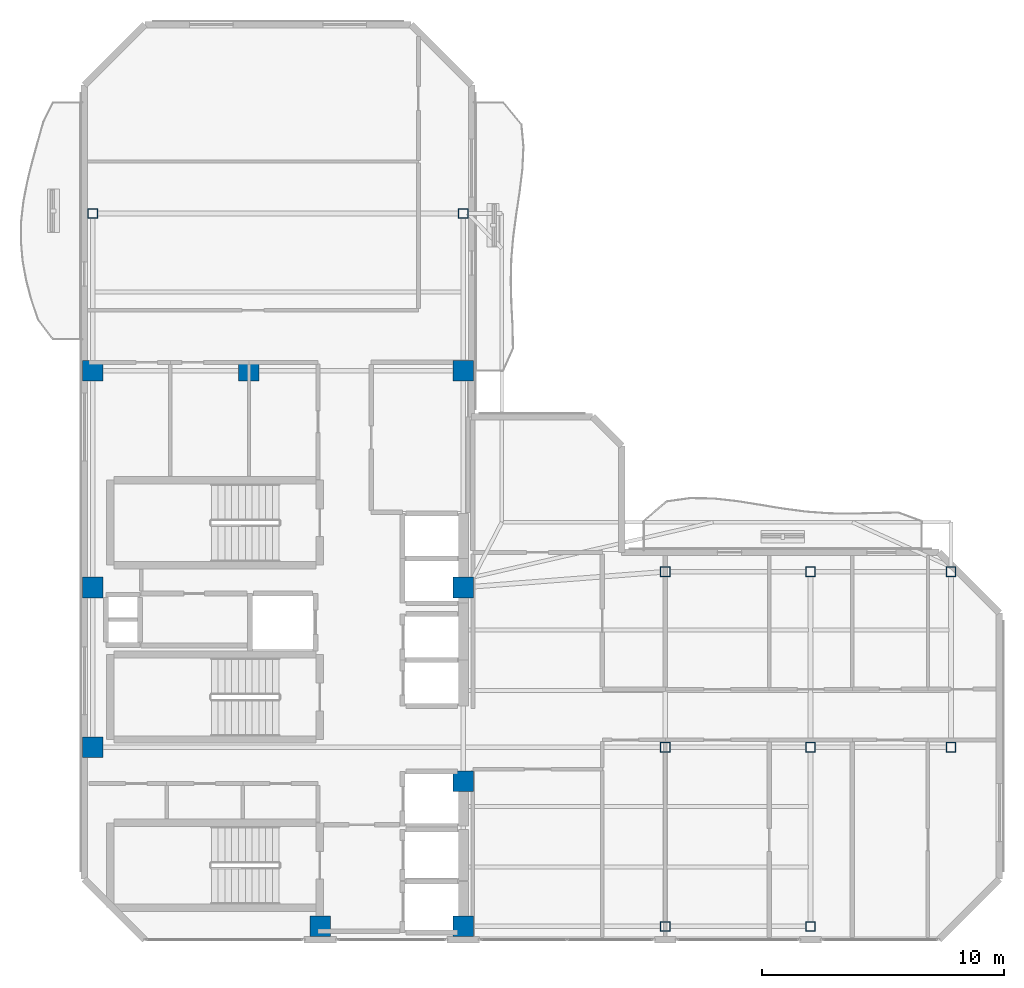
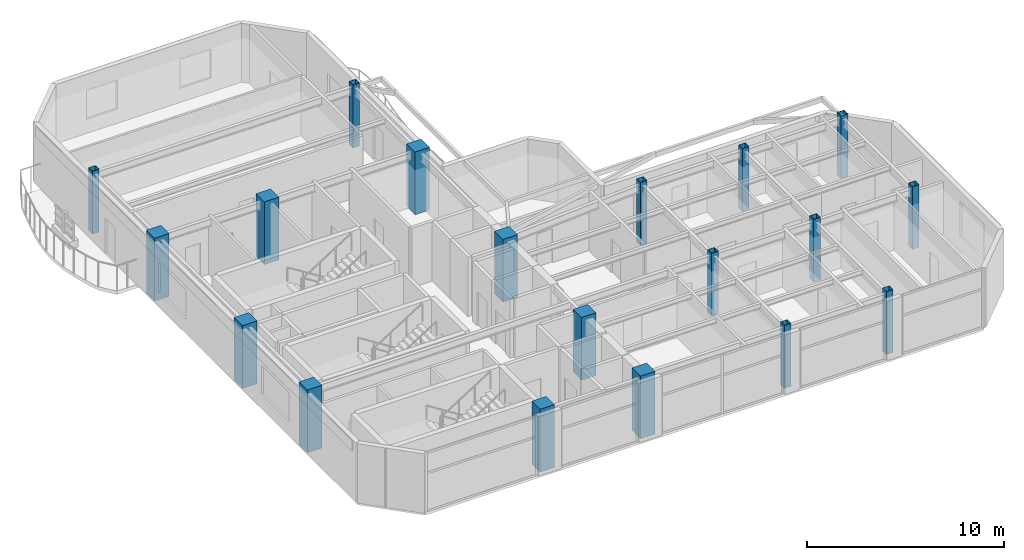
# One storey, part 1 of 15: 19 columns.
"""IFC4 building model written with IfcOpenShell, lengths in metres."""

from ifc_helpers import new_model, si_unit, direction, frame, origin, origin_2d, place, context, subcontext, project, spatial, rectangle, hollow_rectangle, extrude, material, material_profile, profile_set, type_object, element, save


model = new_model("IFC4")

# Units and contexts
model_context = context("Model", 3, precision=1e-05, world=origin(), true_north=direction((0.0, 1.0)))
body_context = subcontext(model_context, "Body", "Model", "MODEL_VIEW")
ifc_project = project(units=[si_unit("LENGTHUNIT", "METRE"), si_unit("AREAUNIT", "SQUARE_METRE"), si_unit("VOLUMEUNIT", "CUBIC_METRE"), si_unit("PLANEANGLEUNIT", "RADIAN"), si_unit("MASSUNIT", "GRAM", prefix="KILO")], contexts=[model_context])

# Site, building, storey
site_placement = place(None, origin())
site = spatial("IfcSite", under=ifc_project, at=site_placement, CompositionType="ELEMENT")
building_placement = place(site_placement, origin())
building = spatial("IfcBuilding", under=site, at=building_placement, Name="Mawjaban Terraces University", CompositionType="ELEMENT")
storey_placement = place(building_placement, frame((0.0, 0.0, 279.39990234375)))
storey = spatial("IfcBuildingStorey", under=building, at=storey_placement, Name="L68", CompositionType="ELEMENT", Elevation=279.39990234375)

# Columns
ifc_material_1 = material(Name="Concrete C50/60", Category="concrete")
ifc_material_profile_1 = material_profile(ifc_material_1, rectangle(XDim=0.85009765625, YDim=0.85009765625, at=origin_2d()), Name="RC850X850")
ifc_profile_set_1 = profile_set([ifc_material_profile_1], Name="Concrete C50/60")
column_type_1 = type_object("IfcColumnType", Name="Col_RC850X850", PredefinedType="COLUMN", material=ifc_profile_set_1)
for number, where, z_axis, x_axis, name in (
    (1, (31.75, 0.550048828125, 0.0), (0.0, 0.0, 1.0), (1.0, 0.0, 0.0), "L68 Column CC2"),
    (2, (37.64990234375, 0.550048828125, 0.0), (0.0, 0.0, 1.0), (1.0, 0.0, 0.0), "L68 Column CC3"),
    (3, (22.35009765625, 7.949951171875, 0.0), (0.0, 0.0, 1.0), (1.0, 0.0, 0.0), "L68 Column CC4"),
    (4, (37.64990234375, 6.550048828125, 0.0), (0.0, 0.0, 1.0), (1.0, 0.0, 0.0), "L68 Column CC5"),
    (5, (22.35009765625, 14.550048828125, 0.0), (0.0, 0.0, 1.0), (1.0, 0.0, 0.0), "L68 Column CC6"),
    (6, (37.64990234375, 14.550048828125, 0.0), (0.0, 0.0, 1.0), (1.0, 0.0, 0.0), "L68 Column CC7"),
    (7, (22.35009765625, 23.5, 0.0), (0.0, 0.0, 1.0), (1.0, 0.0, 0.0), "L68 Column CC8"),
    (8, (28.800048828125, 23.5, 0.0), (0.0, 0.0, 1.0), (1.0, 0.0, 0.0), "L68 Column CC9"),
    (9, (37.64990234375, 23.5, 0.0), (0.0, 0.0, 1.0), (1.0, 0.0, 0.0), "L68 Column CC10"),
):
    element("IfcColumn", number, at=place(storey_placement, frame(where, z_axis=z_axis, x_axis=x_axis)), inside=storey, type_object=column_type_1, Name=name, PredefinedType="COLUMN", context=body_context, shape_type="SweptSolid", body=[
        extrude(rectangle(XDim=0.85009765625, YDim=0.85009765625, at=origin_2d()), origin(), (0.0, 0.0, 1.0), 3.900146484375),
    ])
ifc_material_2 = material(Name="Steel EN 10210-1 S355J2H", Category="steel")
ifc_material_profile_2 = material_profile(ifc_material_2, hollow_rectangle(XDim=0.39990234375, YDim=0.39990234375, WallThickness=0.02001953125, at=origin_2d()), Name="SHS400X400X20")
ifc_profile_set_2 = profile_set([ifc_material_profile_2], Name="Steel EN 10210-1 S355J2H")
column_type_2 = type_object("IfcColumnType", Name="Col_SHS400X400X20", PredefinedType="COLUMN", material=ifc_profile_set_2)
for number, where, z_axis, x_axis, name in (
    (10, (46.0, 0.550048828125, 0.0), (0.0, 0.0, 1.0), (1.0, 0.0, 0.0), "L68 Column TE-460-005"),
    (11, (46.0, 7.949951171875, 0.0), (0.0, 0.0, 1.0), (1.0, 0.0, 0.0), "L68 Column TE-460-080"),
    (12, (46.0, 15.199951171875, 0.0), (0.0, 0.0, 1.0), (1.0, 0.0, 0.0), "L68 Column TE-460-152"),
    (13, (52.0, 0.550048828125, 0.0), (0.0, 0.0, 1.0), (1.0, 0.0, 0.0), "L68 Column TE-520-005"),
    (14, (52.0, 7.949951171875, 0.0), (0.0, 0.0, 1.0), (1.0, 0.0, 0.0), "L68 Column TE-520-080"),
    (15, (52.0, 15.199951171875, 0.0), (0.0, 0.0, 1.0), (1.0, 0.0, 0.0), "L68 Column TE-520-152"),
    (16, (57.800048828125, 7.949951171875, 0.0), (0.0, 0.0, 1.0), (1.0, 0.0, 0.0), "L68 Column TE-578-080"),
    (17, (57.800048828125, 15.199951171875, 0.0), (0.0, 0.0, 1.0), (1.0, 0.0, 0.0), "L68 Column TE-578-152"),
    (18, (22.35009765625, 30.0, 0.0), (0.0, 0.0, 1.0), (1.0, 0.0, 0.0), "L68 Column TN-223-300"),
    (19, (37.64990234375, 30.0, 0.0), (0.0, 0.0, 1.0), (1.0, 0.0, 0.0), "L68 Column TN-376-300"),
):
    element("IfcColumn", number, at=place(storey_placement, frame(where, z_axis=z_axis, x_axis=x_axis)), inside=storey, type_object=column_type_2, Name=name, PredefinedType="COLUMN", context=body_context, shape_type="SweptSolid", body=[
        extrude(hollow_rectangle(XDim=0.39990234375, YDim=0.39990234375, WallThickness=0.02001953125, at=origin_2d()), origin(), (0.0, 0.0, 1.0), 3.900146484375),
    ])

save(model, "model.ifc")
